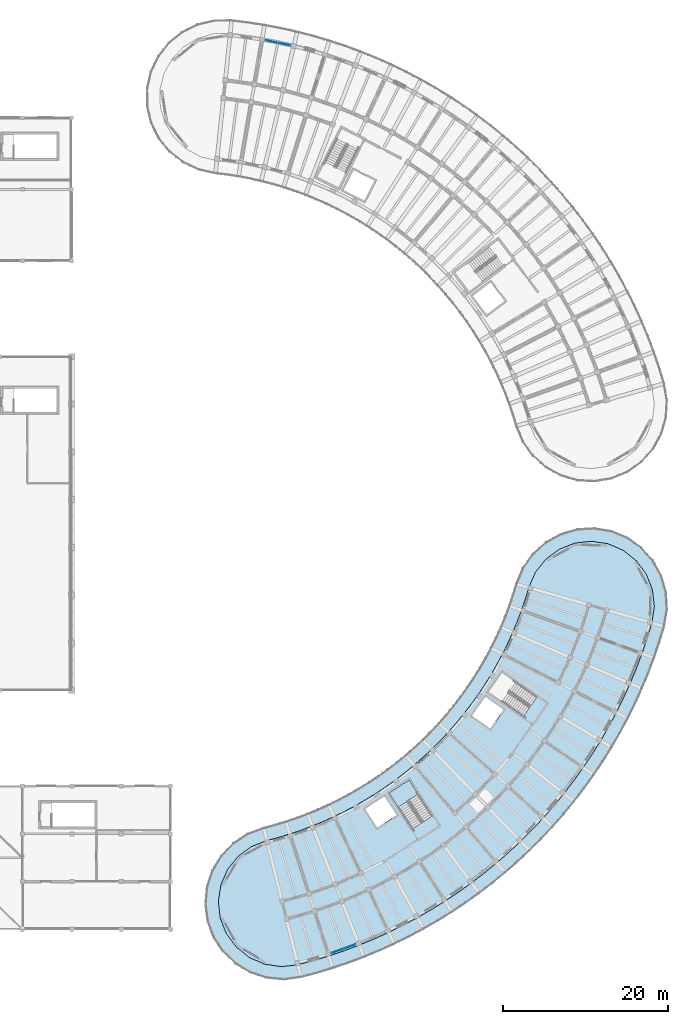
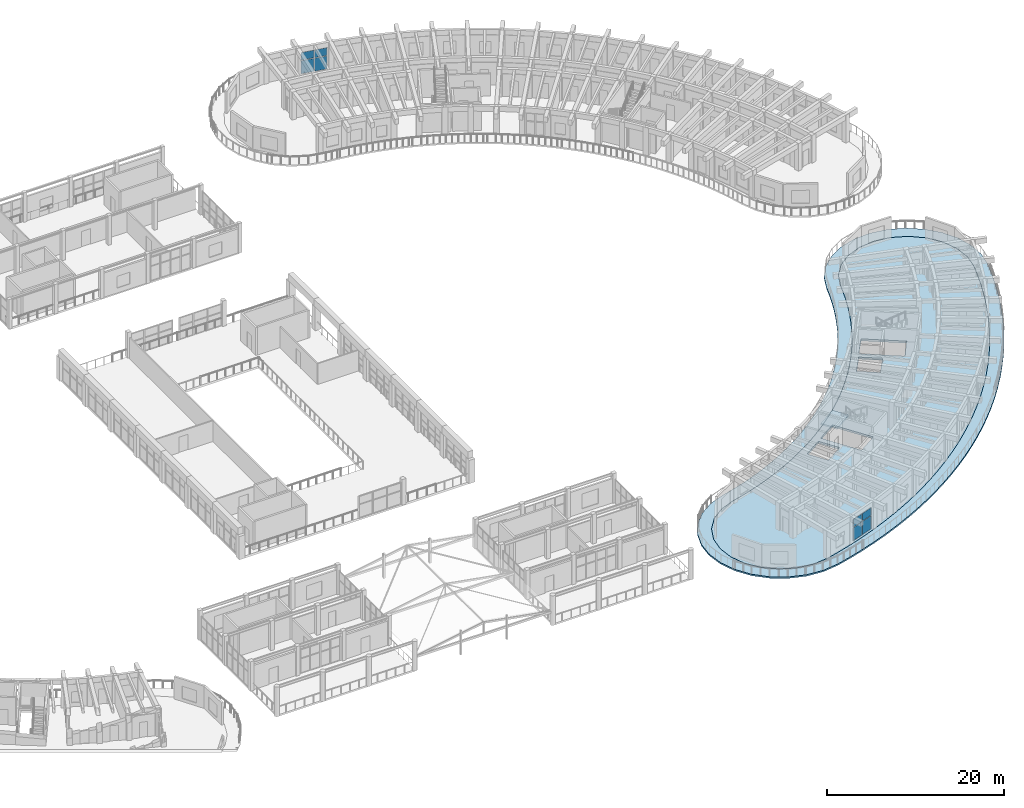
# One storey, part 75 of 128: 8 plates, 3 slabs, 3 elements without a shape of their own.
"""IFC4 building model written with IfcOpenShell, lengths in metres."""

from ifc_helpers import new_model, si_unit, direction, frame, origin, origin_2d, place, context, subcontext, project, spatial, polyline, rectangle, outline, extrude, material, layer, layer_set, type_object, element, aggregate, save


model = new_model("IFC4")

# Units and contexts
model_context = context("Model", 3, precision=1e-05, world=origin(), true_north=direction((0.0, 1.0)))
body_context = subcontext(model_context, "Body", "Model", "MODEL_VIEW")
ifc_project = project(units=[si_unit("LENGTHUNIT", "METRE"), si_unit("AREAUNIT", "SQUARE_METRE"), si_unit("VOLUMEUNIT", "CUBIC_METRE"), si_unit("PLANEANGLEUNIT", "RADIAN"), si_unit("MASSUNIT", "GRAM", prefix="KILO")], contexts=[model_context])

# Site, building, storey
site_placement = place(None, origin())
site = spatial("IfcSite", under=ifc_project, at=site_placement, CompositionType="ELEMENT")
building_placement = place(site_placement, origin())
building = spatial("IfcBuilding", under=site, at=building_placement, Name="Tanwirah Colonnade Gardens", CompositionType="ELEMENT")
storey_placement = place(building_placement, frame((0.0, 0.0, 4.760009765625)))
storey = spatial("IfcBuildingStorey", under=building, at=storey_placement, Name="L01", CompositionType="ELEMENT", Elevation=4.760009765625)

# Curtain wall, plates
ifc_material_1 = material(Name="Bronze-anodised aluminium and solar-control low-E glass", Category="aluminium")
curtain_wall_type = type_object("IfcCurtainWallType", Name="CW-LOB", PredefinedType="NOTDEFINED", material=ifc_material_1)
curtain_wall_1_placement = place(storey_placement, origin())
curtain_wall_1 = element("IfcCurtainWall", 1, at=curtain_wall_1_placement, inside=storey, type_object=curtain_wall_type, Name="Curtain Wall CW-B-L01-OUT-16", PredefinedType="NOTDEFINED")
ifc_material_2 = material(Name="Acoustic solar-control low-E double glazing", Category="glass")
ifc_layer_1 = layer(ifc_material_2, 0.031982421875)
ifc_layer_set_1 = layer_set([ifc_layer_1], Name="Acoustic solar-control low-E double glazing")
plate_type_1 = type_object("IfcPlateType", Name="CWP-GLZ32", PredefinedType="CURTAIN_PANEL", material=ifc_layer_set_1)
plate_1_placement = place(storey_placement, frame((133.80322265625, 118.32958984375, 0.06982421875), z_axis=(0.0, 0.0, 1.0), x_axis=(-0.979340523595, 0.202218047772, 0.0)))
plate_1 = element("IfcPlate", 2, at=plate_1_placement, type_object=plate_type_1, Name="CW-LOB panel 1.1", PredefinedType="CURTAIN_PANEL", context=body_context, shape_type="SweptSolid", body=[
    extrude(rectangle(XDim=1.497802734375, YDim=0.031982421875, at=origin_2d()), origin(), (0.0, 0.0, 1.0), 1.801513671875),
])
plate_2_placement = place(storey_placement, frame((133.80322265625, 118.32958984375, 1.94140625), z_axis=(0.0, 0.0, 1.0), x_axis=(-0.979340523595, 0.202218047772, 0.0)))
plate_2 = element("IfcPlate", 3, at=plate_2_placement, type_object=plate_type_1, Name="CW-LOB panel 1.2", PredefinedType="CURTAIN_PANEL", context=body_context, shape_type="SweptSolid", body=[
    extrude(rectangle(XDim=1.497802734375, YDim=0.031982421875, at=origin_2d()), origin(), (0.0, 0.0, 1.0), 1.0634765625),
])
plate_3_placement = place(storey_placement, frame((132.267822265625, 118.646484375, 0.06982421875), z_axis=(0.0, 0.0, 1.0), x_axis=(-0.979340523595, 0.202218047772, 0.0)))
plate_3 = element("IfcPlate", 4, at=plate_3_placement, type_object=plate_type_1, Name="CW-LOB panel 2.1", PredefinedType="CURTAIN_PANEL", context=body_context, shape_type="SweptSolid", body=[
    extrude(rectangle(XDim=1.497802734375, YDim=0.031982421875, at=origin_2d()), origin(), (0.0, 0.0, 1.0), 1.801513671875),
])
plate_4_placement = place(storey_placement, frame((132.267822265625, 118.646484375, 1.94140625), z_axis=(0.0, 0.0, 1.0), x_axis=(-0.979340523595, 0.202218047772, 0.0)))
plate_4 = element("IfcPlate", 5, at=plate_4_placement, type_object=plate_type_1, Name="CW-LOB panel 2.2", PredefinedType="CURTAIN_PANEL", context=body_context, shape_type="SweptSolid", body=[
    extrude(rectangle(XDim=1.497802734375, YDim=0.031982421875, at=origin_2d()), origin(), (0.0, 0.0, 1.0), 1.0634765625),
])
aggregate(curtain_wall_1, [plate_1, plate_2, plate_3, plate_4])

curtain_wall_2_placement = place(storey_placement, origin())
curtain_wall_2 = element("IfcCurtainWall", 6, at=curtain_wall_2_placement, inside=storey, type_object=curtain_wall_type, Name="Curtain Wall CW-D-L01-OUT-01", PredefinedType="NOTDEFINED")
ifc_material_3 = material(Name="Insulated bronze aluminium spandrel panel", Category="aluminium")
ifc_layer_2 = layer(ifc_material_3, 0.035888671875)
ifc_layer_set_2 = layer_set([ifc_layer_2], Name="Insulated bronze aluminium spandrel panel")
plate_type_2 = type_object("IfcPlateType", Name="CWP-SPN36", PredefinedType="CURTAIN_PANEL", material=ifc_layer_set_2)
plate_5_placement = place(storey_placement, frame((140.257080078125, 8.177978515625, 0.06494140625), z_axis=(0.0, 0.0, 1.0), x_axis=(0.941911145793, 0.335862164333, 0.0)))
plate_5 = element("IfcPlate", 7, at=plate_5_placement, type_object=plate_type_2, Name="CW-LOB panel 1.1", PredefinedType="CURTAIN_PANEL", context=body_context, shape_type="SweptSolid", body=[
    extrude(rectangle(XDim=1.490966796875, YDim=0.035888671875, at=origin_2d()), origin(), (0.0, 0.0, 1.0), 1.80908203125),
])
plate_6_placement = place(storey_placement, frame((140.257080078125, 8.177978515625, 1.93896484375), z_axis=(0.0, 0.0, 1.0), x_axis=(0.941911145793, 0.335862164333, 0.0)))
plate_6 = element("IfcPlate", 8, at=plate_6_placement, type_object=plate_type_2, Name="CW-LOB panel 1.2", PredefinedType="CURTAIN_PANEL", context=body_context, shape_type="SweptSolid", body=[
    extrude(rectangle(XDim=1.490966796875, YDim=0.035888671875, at=origin_2d()), origin(), (0.0, 0.0, 1.0), 1.071044921875),
])
plate_7_placement = place(storey_placement, frame((141.72265625, 8.700439453125, 0.06494140625), z_axis=(0.0, 0.0, 1.0), x_axis=(0.941911145793, 0.335862164333, 0.0)))
plate_7 = element("IfcPlate", 9, at=plate_7_placement, type_object=plate_type_2, Name="CW-LOB panel 2.1", PredefinedType="CURTAIN_PANEL", context=body_context, shape_type="SweptSolid", body=[
    extrude(rectangle(XDim=1.490966796875, YDim=0.035888671875, at=origin_2d()), origin(), (0.0, 0.0, 1.0), 1.80908203125),
])
plate_8_placement = place(storey_placement, frame((141.72265625, 8.700439453125, 1.93896484375), z_axis=(0.0, 0.0, 1.0), x_axis=(0.941911145793, 0.335862164333, 0.0)))
plate_8 = element("IfcPlate", 10, at=plate_8_placement, type_object=plate_type_2, Name="CW-LOB panel 2.2", PredefinedType="CURTAIN_PANEL", context=body_context, shape_type="SweptSolid", body=[
    extrude(rectangle(XDim=1.490966796875, YDim=0.035888671875, at=origin_2d()), origin(), (0.0, 0.0, 1.0), 1.071044921875),
])
aggregate(curtain_wall_2, [plate_5, plate_6, plate_7, plate_8])

# Slab
ifc_material_4 = material(Name="White architectural precast concrete C40/50", Category="concrete")
ifc_layer_3 = layer(ifc_material_4, 0.199951171875)
ifc_layer_set_3 = layer_set([ifc_layer_3], Name="White architectural precast concrete C40/50")
slab_type_1 = type_object("IfcSlabType", Name="SL-BAL-200", PredefinedType="FLOOR", material=ifc_layer_set_3)
slab_1_placement = place(storey_placement, frame((0.0, 0.0, -0.199951171875)))
element("IfcSlab", 11, at=slab_1_placement, inside=storey, type_object=slab_type_1, Name="Block D L01 Continuous White Balcony Ribbon", PredefinedType="FLOOR", context=body_context, shape_type="SweptSolid", body=[
    extrude(outline(polyline([(129.333251953125, 22.4306640625), (127.57373046875, 21.275390625), (126.115234375, 19.757568359375), (125.03125, 17.953369140625), (124.375732421875, 15.953125), (124.181884765625, 13.857177734375), (124.459228515625, 11.7705078125), (125.19384765625, 9.798095703125), (126.34912109375, 8.038330078125), (127.866943359375, 6.580078125), (129.671142578125, 5.495849609375), (131.67138671875, 4.84033203125), (133.767333984375, 4.646484375), (135.85400390625, 4.923828125), (137.79541015625, 5.441650390625), (139.71875, 6.02294921875), (141.6220703125, 6.666748046875), (143.503173828125, 7.372314453125), (145.3603515625, 8.13916015625), (147.19140625, 8.966552734375), (148.994384765625, 9.85302734375), (150.767333984375, 10.79833984375), (152.508544921875, 11.801025390625), (154.2158203125, 12.860107421875), (155.8876953125, 13.974609375), (157.522216796875, 15.143310546875), (159.117431640625, 16.364501953125), (160.672119140625, 17.637451171875), (162.18408203125, 18.960693359375), (163.652099609375, 20.33251953125), (165.07421875, 21.751708984375), (166.449462890625, 23.216796875), (167.77587890625, 24.725830078125), (169.05224609375, 26.277587890625), (170.277099609375, 27.870361328125), (171.44921875, 29.502197265625), (172.567138671875, 31.171630859375), (173.630126953125, 32.876708984375), (174.636474609375, 34.61572265625), (175.585693359375, 36.386474609375), (176.476318359375, 38.1875), (177.307373046875, 40.016845703125), (178.078369140625, 41.872314453125), (178.7880859375, 43.751953125), (179.43603515625, 45.65380859375), (180.021484375, 47.575927734375), (180.37158203125, 49.651611328125), (180.250732421875, 51.7529296875), (179.66552734375, 53.77490234375), (178.64501953125, 55.615966796875), (177.240478515625, 57.18359375), (175.522216796875, 58.399658203125), (173.57666015625, 59.20263671875), (171.5009765625, 59.552734375), (169.3994140625, 59.43212890625), (167.37744140625, 58.846923828125), (165.53662109375, 57.826416015625), (163.96875, 56.421875), (162.7529296875, 54.70361328125), (161.94970703125, 52.7578125), (161.543701171875, 51.42431640625), (161.093994140625, 50.104736328125), (160.6015625, 48.800537109375), (160.066650390625, 47.51318359375), (159.489990234375, 46.244140625), (158.8720703125, 44.99462890625), (158.213623046875, 43.765869140625), (157.515380859375, 42.559326171875), (156.77783203125, 41.37646484375), (156.002197265625, 40.218017578125), (155.18896484375, 39.0859375), (154.339111328125, 37.98095703125), (153.45361328125, 36.904296875), (152.533203125, 35.857177734375), (151.579345703125, 34.8408203125), (150.592529296875, 33.856201171875), (149.573974609375, 32.904296875), (148.52490234375, 31.986328125), (147.4462890625, 31.10302734375), (146.33935546875, 30.255615234375), (145.205322265625, 29.445068359375), (144.04541015625, 28.671630859375), (142.86083984375, 27.93701171875), (141.65283203125, 27.2412109375), (140.4228515625, 26.58544921875), (139.171875, 25.97021484375), (137.9013671875, 25.396240234375), (136.613037109375, 24.8642578125), (135.307861328125, 24.37451171875), (133.9873046875, 23.927978515625), (132.65283203125, 23.524658203125), (131.305908203125, 23.165283203125), (129.333251953125, 22.4306640625)]), holes=[polyline([(129.80810546875, 20.84912109375), (131.69921875, 21.593994140625), (133.095703125, 21.966552734375), (133.09619140625, 21.966552734375), (134.480712890625, 22.385009765625), (134.4814453125, 22.38525390625), (135.8515625, 22.8486328125), (135.85205078125, 22.848876953125), (137.206298828125, 23.35693359375), (137.20703125, 23.357177734375), (138.5439453125, 23.9091796875), (138.54443359375, 23.909423828125), (139.862548828125, 24.5048828125), (139.86328125, 24.505126953125), (141.1611328125, 25.1435546875), (141.16162109375, 25.143798828125), (142.43798828125, 25.82421875), (142.4384765625, 25.824462890625), (143.69189453125, 26.54638671875), (143.692626953125, 26.546630859375), (144.921630859375, 27.30908203125), (144.922119140625, 27.309326171875), (146.125732421875, 28.111572265625), (146.126220703125, 28.112060546875), (147.302734375, 28.953369140625), (147.30322265625, 28.95361328125), (148.45166015625, 29.8330078125), (148.452392578125, 29.833251953125), (149.5712890625, 30.749755859375), (149.57177734375, 30.75), (150.660400390625, 31.70263671875), (150.660888671875, 31.702880859375), (151.717529296875, 32.690673828125), (151.718017578125, 32.69091796875), (152.741943359375, 33.712646484375), (152.742431640625, 33.713134765625), (153.732177734375, 34.767578125), (153.732666015625, 34.76806640625), (154.6875, 35.8544921875), (154.68798828125, 35.85498046875), (155.606689453125, 36.97216796875), (155.607177734375, 36.97265625), (156.48876953125, 38.119140625), (156.4892578125, 38.11962890625), (157.3330078125, 39.29443359375), (157.33349609375, 39.294921875), (158.13818359375, 40.496826171875), (158.138671875, 40.497314453125), (158.90380859375, 41.724853515625), (158.904052734375, 41.725341796875), (159.628662109375, 42.97705078125), (159.62890625, 42.977783203125), (160.312255859375, 44.25244140625), (160.3125, 44.253173828125), (160.95361328125, 45.549560546875), (160.953857421875, 45.55029296875), (161.55224609375, 46.866943359375), (161.552490234375, 46.86767578125), (162.107421875, 48.203369140625), (162.107666015625, 48.203857421875), (162.61865234375, 49.55712890625), (162.618896484375, 49.5576171875), (163.08544921875, 50.9267578125), (163.08544921875, 50.92724609375), (163.506591796875, 52.309814453125), (164.31689453125, 54.173828125), (165.581298828125, 55.76318359375), (167.2138671875, 56.97119140625), (169.103515625, 57.715576171875), (171.121337890625, 57.945556640625), (173.130126953125, 57.645263671875), (174.992431640625, 56.83544921875), (176.58203125, 55.5712890625), (177.7900390625, 53.9384765625), (178.534423828125, 52.049072265625), (178.76416015625, 50.031005859375), (178.4638671875, 48.021240234375), (177.894287109375, 46.151123046875), (177.263427734375, 44.29931640625), (176.572509765625, 42.46923828125), (175.82177734375, 40.662841796875), (175.012451171875, 38.8818359375), (174.1455078125, 37.12841796875), (173.221435546875, 35.404052734375), (172.241455078125, 33.7109375), (171.20654296875, 32.051025390625), (170.1181640625, 30.425537109375), (168.976806640625, 28.836669921875), (167.784423828125, 27.2861328125), (166.541748046875, 25.775146484375), (165.250244140625, 24.305908203125), (163.911376953125, 22.879638671875), (162.526611328125, 21.497802734375), (161.097412109375, 20.162109375), (159.625244140625, 18.8740234375), (158.11181640625, 17.634521484375), (156.55859375, 16.445556640625), (154.96728515625, 15.3076171875), (153.33935546875, 14.22265625), (151.677001953125, 13.19140625), (149.98193359375, 12.21533203125), (148.255615234375, 11.294921875), (146.500244140625, 10.431640625), (144.717529296875, 9.626220703125), (142.909423828125, 8.879638671875), (141.077880859375, 8.192626953125), (139.224853515625, 7.565673828125), (137.352294921875, 7.0), (135.463134765625, 6.49609375), (133.444091796875, 6.265869140625), (131.435546875, 6.566162109375), (129.572998046875, 7.3759765625), (127.983642578125, 8.640380859375), (126.775634765625, 10.27294921875), (126.03125, 12.16259765625), (125.80126953125, 14.180419921875), (126.1015625, 16.18896484375), (126.911376953125, 18.051513671875), (128.175537109375, 19.640869140625), (129.80810546875, 20.84912109375)])]), origin(), (0.0, 0.0, 1.0), 0.199951171875),
])

# Stair, slab
ifc_material_5 = material(Name="Precast concrete C40/50", Category="concrete")
stair_type = type_object("IfcStairType", Name="ST-RES170", PredefinedType="HALF_TURN_STAIR", material=ifc_material_5)
stair_placement = place(storey_placement, origin())
stair = element("IfcStair", 12, at=stair_placement, inside=storey, type_object=stair_type, Name="L01 Block D Core 1 Exit Stair", PredefinedType="HALF_TURN_STAIR")
ifc_layer_4 = layer(ifc_material_5, 0.205078125)
ifc_layer_set_4 = layer_set([ifc_layer_4], Name="Precast concrete C40/50")
slab_type_2 = type_object("IfcSlabType", Name="SL-LND-205", PredefinedType="LANDING", material=ifc_layer_set_4)
slab_2_placement = place(storey_placement, frame((0.0, 0.0, 1.8349609375)))
slab_2 = element("IfcSlab", 13, at=slab_2_placement, type_object=slab_type_2, Name="ST-D1 landing 1", PredefinedType="LANDING", context=body_context, shape_type="SweptSolid", body=[
    extrude(outline(polyline([(150.09912109375, 27.218994140625), (148.974609375, 28.950927734375), (146.525634765625, 27.360595703125), (147.650390625, 25.628662109375), (150.09912109375, 27.218994140625)])), origin(), (0.0, 0.0, 1.0), 0.205078125),
])
aggregate(stair, [slab_2])

# Slab
ifc_material_6 = material(Name="Concrete C45/55", Category="concrete")
ifc_layer_5 = layer(ifc_material_6, 0.27490234375)
ifc_layer_set_5 = layer_set([ifc_layer_5], Name="Concrete C45/55")
slab_type_3 = type_object("IfcSlabType", Name="SL-POD-275", PredefinedType="FLOOR", material=ifc_layer_set_5)
slab_3_placement = place(storey_placement, frame((0.0, 0.0, -0.27490234375)))
element("IfcSlab", 14, at=slab_3_placement, inside=storey, type_object=slab_type_3, Name="Block D L01 Precast Composite Floor Slab", PredefinedType="FLOOR", context=body_context, shape_type="SweptSolid", body=[
    extrude(outline(polyline([(134.47509765625, 22.404052734375), (133.09033203125, 21.98583984375), (131.69287109375, 21.613037109375), (129.79833984375, 20.86669921875), (128.16162109375, 19.655517578125), (126.89404296875, 18.06201171875), (126.08203125, 16.194580078125), (125.781005859375, 14.1806640625), (126.01171875, 12.15771484375), (126.7578125, 10.26318359375), (127.968994140625, 8.626220703125), (129.562744140625, 7.358642578125), (131.429931640625, 6.546875), (133.44384765625, 6.245849609375), (135.467041015625, 6.476318359375), (137.357666015625, 6.980712890625), (139.23095703125, 7.546630859375), (141.08447265625, 8.173828125), (142.916748046875, 8.861083984375), (144.7255859375, 9.60791015625), (146.5087890625, 10.41357421875), (148.264892578125, 11.277099609375), (149.99169921875, 12.19775390625), (151.687255859375, 13.17431640625), (153.350341796875, 14.205810546875), (154.978515625, 15.291259765625), (156.5703125, 16.429443359375), (158.124267578125, 17.618896484375), (159.63818359375, 18.858642578125), (161.11083984375, 20.1474609375), (162.54052734375, 21.4833984375), (163.92578125, 22.86572265625), (165.26513671875, 24.29248046875), (166.556884765625, 25.76220703125), (167.800048828125, 27.273681640625), (168.992919921875, 28.82470703125), (170.134521484375, 30.414306640625), (171.223388671875, 32.0400390625), (172.258544921875, 33.70068359375), (173.23876953125, 35.394287109375), (174.163330078125, 37.119140625), (175.030517578125, 38.873291015625), (175.840087890625, 40.65478515625), (176.591064453125, 42.4619140625), (177.2822265625, 44.29248046875), (177.913330078125, 46.14501953125), (178.4833984375, 48.016845703125), (178.784423828125, 50.03076171875), (178.553955078125, 52.053955078125), (177.8076171875, 53.948486328125), (176.596435546875, 55.585205078125), (175.0029296875, 56.852783203125), (173.135498046875, 57.664794921875), (171.121826171875, 57.965576171875), (169.0986328125, 57.735107421875), (167.2041015625, 56.98876953125), (165.5673828125, 55.777587890625), (164.2998046875, 54.18408203125), (163.48779296875, 52.31689453125), (163.06640625, 50.93310546875), (162.60009765625, 49.56396484375), (162.089111328125, 48.2109375), (161.533935546875, 46.875244140625), (160.935791015625, 45.55859375), (160.294677734375, 44.261962890625), (159.611328125, 42.987060546875), (158.88671875, 41.7353515625), (158.12158203125, 40.5078125), (157.31689453125, 39.30615234375), (156.47314453125, 38.13134765625), (155.59130859375, 36.98486328125), (154.672607421875, 35.86767578125), (153.717529296875, 34.781494140625), (152.727783203125, 33.726806640625), (151.703857421875, 32.705078125), (150.647216796875, 31.717529296875), (149.55859375, 30.76513671875), (148.439697265625, 29.848876953125), (147.291259765625, 28.969482421875), (146.114501953125, 28.12841796875), (144.9111328125, 27.326171875), (143.681884765625, 26.563720703125), (142.428466796875, 25.841796875), (141.15234375, 25.161376953125), (139.854248046875, 24.523193359375), (138.5361328125, 23.927490234375), (137.199462890625, 23.37548828125), (135.84521484375, 22.867431640625), (134.47509765625, 22.404052734375)]), holes=[polyline([(149.358642578125, 23.003662109375), (146.528076171875, 27.3623046875), (148.971923828125, 28.94921875), (151.802490234375, 24.5908203125), (149.358642578125, 23.003662109375)]), polyline([(143.63427734375, 25.42333984375), (145.982666015625, 26.9482421875), (147.453125, 24.683837890625), (145.104736328125, 23.158935546875), (143.63427734375, 25.42333984375)]), polyline([(160.252685546875, 42.016357421875), (164.509765625, 39.03564453125), (162.83837890625, 36.648681640625), (158.581298828125, 39.62939453125), (160.252685546875, 42.016357421875)]), polyline([(160.442138671875, 37.49267578125), (158.836181640625, 35.198974609375), (156.62451171875, 36.74755859375), (158.23046875, 39.041259765625), (160.442138671875, 37.49267578125)])]), origin(), (0.0, 0.0, 1.0), 0.27490234375),
])

save(model, "model.ifc")
